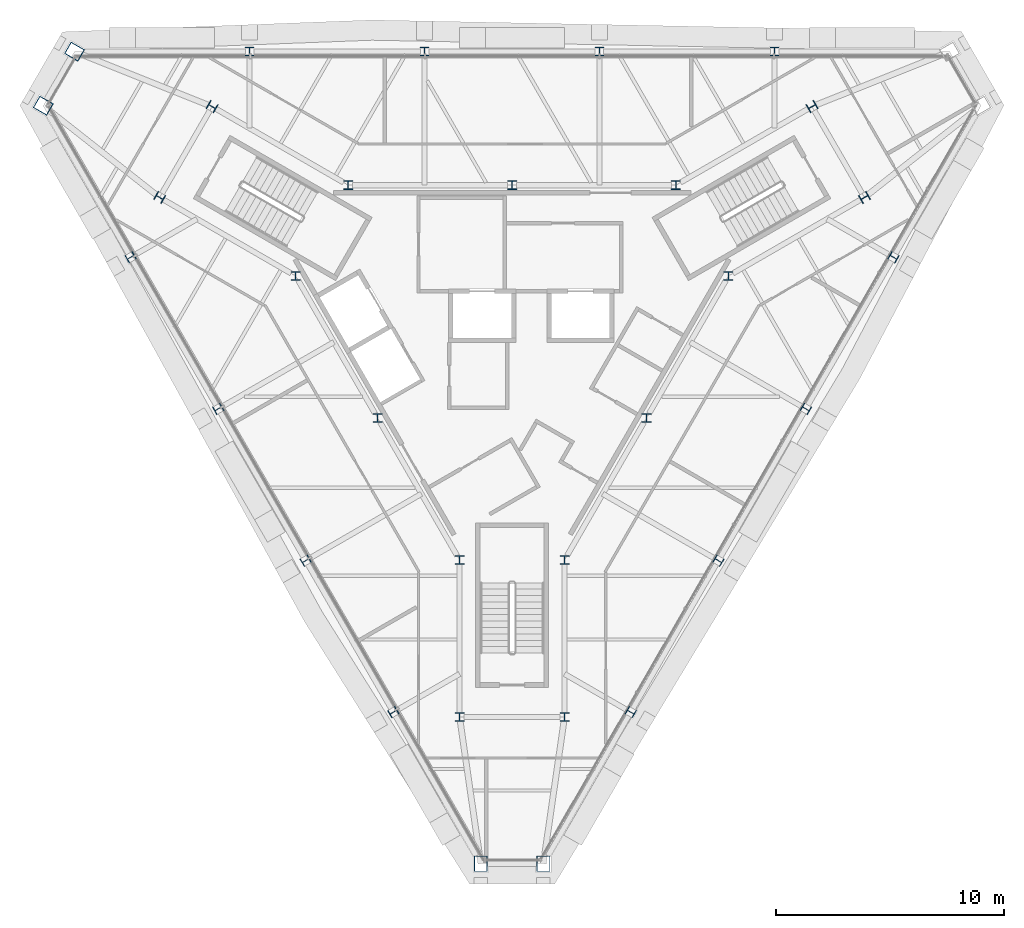
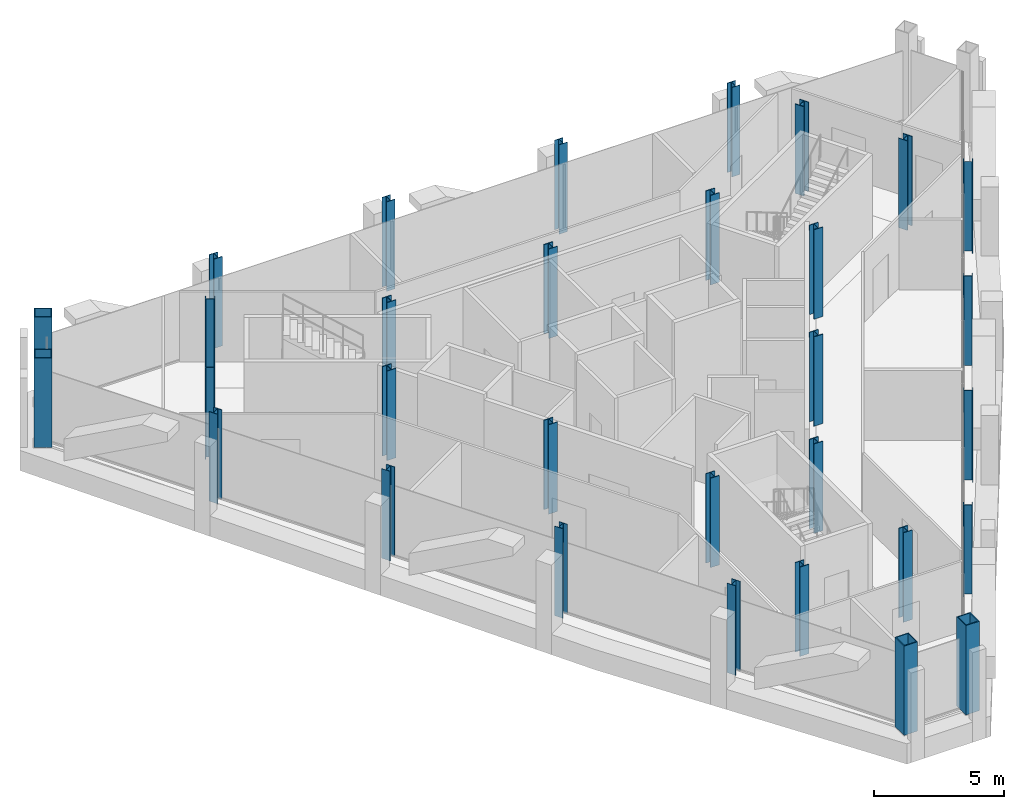
# One storey, part 1 of 13: 31 columns.
"""IFC4 building model written with IfcOpenShell, lengths in metres."""

from ifc_helpers import new_model, si_unit, direction, frame, origin, origin_2d, place, context, subcontext, project, spatial, hollow_rectangle, i_section, extrude, material, material_profile, profile_set, type_object, element, save


model = new_model("IFC4")

# Units and contexts
model_context = context("Model", 3, precision=1e-05, world=origin(), true_north=direction((0.0, 1.0)))
body_context = subcontext(model_context, "Body", "Model", "MODEL_VIEW")
ifc_project = project(units=[si_unit("LENGTHUNIT", "METRE"), si_unit("AREAUNIT", "SQUARE_METRE"), si_unit("VOLUMEUNIT", "CUBIC_METRE"), si_unit("PLANEANGLEUNIT", "RADIAN"), si_unit("MASSUNIT", "GRAM", prefix="KILO")], contexts=[model_context])

# Site, building, storey
site_placement = place(None, origin())
site = spatial("IfcSite", under=ifc_project, at=site_placement, CompositionType="ELEMENT")
building_placement = place(site_placement, origin())
building = spatial("IfcBuilding", under=site, at=building_placement, Name="Verrane Prism Tower", CompositionType="ELEMENT")
storey_placement = place(building_placement, frame((0.0, 0.0, 316.800048828125)))
storey = spatial("IfcBuildingStorey", under=building, at=storey_placement, Name="L80", CompositionType="ELEMENT", Elevation=316.800048828125)

# Columns
ifc_material_1 = material(Name="Steel A992", Category="steel")
ifc_material_profile_1 = material_profile(ifc_material_1, i_section(OverallWidth=0.398681640625, OverallDepth=0.385986328125, WebThickness=0.02099609375, FlangeThickness=0.033203125, FilletRadius=0.01513671875, at=origin_2d()), Name="W14x176")
ifc_profile_set_1 = profile_set([ifc_material_profile_1], Name="Steel A992")
column_type_1 = type_object("IfcColumnType", Name="Core corner column W14x176", PredefinedType="COLUMN", material=ifc_profile_set_1)
for number, where, z_axis, x_axis, name in (
    (1, (15.43994140625, 6.260009765625, 0.0), (0.0, 0.0, 1.0), (0.5, -0.866025403784, 0.0), "Core corner column CK-NEm L80"),
    (2, (13.139892578125, 10.239990234375, 0.0), (0.0, 0.0, 1.0), (0.5, -0.866025403784, 0.0), "Core corner column CK-NEp L80"),
    (3, (-13.139892578125, 10.239990234375, 0.0), (0.0, 0.0, 1.0), (0.5, 0.866025403784, 0.0), "Core corner column CK-NWm L80"),
    (4, (-15.43994140625, 6.260009765625, 0.0), (0.0, 0.0, 1.0), (0.5, 0.866025403784, 0.0), "Core corner column CK-NWp L80"),
    (5, (-2.300048828125, -16.5, 0.0), (0.0, 0.0, 1.0), (-1.0, 0.0, 0.0), "Core corner column CK-Sm L80"),
    (6, (2.300048828125, -16.5, 0.0), (0.0, 0.0, 1.0), (-1.0, 0.0, 0.0), "Core corner column CK-Sp L80"),
):
    element("IfcColumn", number, at=place(storey_placement, frame(where, z_axis=z_axis, x_axis=x_axis)), inside=storey, type_object=column_type_1, Name=name, PredefinedType="COLUMN", context=body_context, shape_type="SweptSolid", body=[
        extrude(i_section(OverallWidth=0.398681640625, OverallDepth=0.385986328125, WebThickness=0.02099609375, FlangeThickness=0.033203125, FilletRadius=0.01513671875, at=origin_2d()), origin(), (0.0, 0.0, 1.0), 4.199951171875),
    ])
ifc_material_2 = material(Name="Steel A992", Category="steel")
ifc_material_profile_2 = material_profile(ifc_material_2, i_section(OverallWidth=0.398681640625, OverallDepth=0.385986328125, WebThickness=0.02099609375, FlangeThickness=0.033203125, FilletRadius=0.01513671875, at=origin_2d()), Name="W14x176")
ifc_profile_set_2 = profile_set([ifc_material_profile_2], Name="Steel A992")
column_type_2 = type_object("IfcColumnType", Name="Core side column W14x176", PredefinedType="COLUMN", material=ifc_profile_set_2)
for number, where, z_axis, x_axis, name in (
    (7, (9.47998046875, 2.820068359375, 0.0), (0.0, 0.0, 1.0), (1.0, 0.0, 0.0), "Core side column CC-NEm L80"),
    (8, (7.179931640625, 6.800048828125, 0.0), (0.0, 0.0, 1.0), (1.0, 0.0, 0.0), "Core side column CC-NEp L80"),
    (9, (0.0, 6.800048828125, 0.0), (0.0, 0.0, 1.0), (1.0, 0.0, 0.0), "Core side column CC-N0 L80"),
    (10, (-7.179931640625, 6.800048828125, 0.0), (0.0, 0.0, 1.0), (1.0, 0.0, 0.0), "Core side column CC-NWm L80"),
    (11, (-9.47998046875, 2.820068359375, 0.0), (0.0, 0.0, 1.0), (1.0, 0.0, 0.0), "Core side column CC-NWp L80"),
    (12, (-5.889892578125, -3.39990234375, 0.0), (0.0, 0.0, 1.0), (1.0, 0.0, 0.0), "Core side column CC-SW0 L80"),
    (13, (-2.300048828125, -9.6201171875, 0.0), (0.0, 0.0, 1.0), (1.0, 0.0, 0.0), "Core side column CC-Sm L80"),
    (14, (2.300048828125, -9.6201171875, 0.0), (0.0, 0.0, 1.0), (1.0, 0.0, 0.0), "Core side column CC-Sp L80"),
    (15, (5.889892578125, -3.39990234375, 0.0), (0.0, 0.0, 1.0), (1.0, 0.0, 0.0), "Core side column CC-SE0 L80"),
):
    element("IfcColumn", number, at=place(storey_placement, frame(where, z_axis=z_axis, x_axis=x_axis)), inside=storey, type_object=column_type_2, Name=name, PredefinedType="COLUMN", context=body_context, shape_type="SweptSolid", body=[
        extrude(i_section(OverallWidth=0.398681640625, OverallDepth=0.385986328125, WebThickness=0.02099609375, FlangeThickness=0.033203125, FilletRadius=0.01513671875, at=origin_2d()), origin(), (0.0, 0.0, 1.0), 4.199951171875),
    ])
ifc_material_3 = material(Name="Steel A572 Grade 50", Category="steel")
ifc_material_profile_3 = material_profile(ifc_material_3, hollow_rectangle(XDim=0.60009765625, YDim=0.699951171875, WallThickness=0.0400390625, at=origin_2d()), Name="BOX 700x600x40")
ifc_profile_set_3 = profile_set([ifc_material_profile_3], Name="Steel A572 Grade 50")
column_type_3 = type_object("IfcColumnType", Name="Megacolumn BOX 700x600x40", PredefinedType="COLUMN", material=ifc_profile_set_3)
for number, where, z_axis, x_axis, name in (
    (16, (-19.169921875, 12.64990234375, 0.0), (0.0, 0.0, 1.0), (0.5, 0.866025403784, 0.0), "Megacolumn MC-NW.a L80"),
    (17, (-20.5400390625, 10.280029296875, 0.0), (0.0, 0.0, 1.0), (0.5, 0.866025403784, 0.0), "Megacolumn MC-NW.b L80"),
    (18, (-1.3701171875, -22.929931640625, 0.0), (0.0, 0.0, 1.0), (-1.0, 0.0, 0.0), "Megacolumn MC-S.a L80"),
    (19, (1.3701171875, -22.929931640625, 0.0), (0.0, 0.0, 1.0), (-1.0, 0.0, 0.0), "Megacolumn MC-S.b L80"),
):
    element("IfcColumn", number, at=place(storey_placement, frame(where, z_axis=z_axis, x_axis=x_axis)), inside=storey, type_object=column_type_3, Name=name, PredefinedType="COLUMN", context=body_context, shape_type="SweptSolid", body=[
        extrude(hollow_rectangle(XDim=0.60009765625, YDim=0.699951171875, WallThickness=0.0400390625, at=origin_2d()), origin(), (0.0, 0.0, 1.0), 4.199951171875),
    ])
ifc_material_4 = material(Name="Steel A992", Category="steel")
ifc_material_profile_4 = material_profile(ifc_material_4, i_section(OverallWidth=0.373291015625, OverallDepth=0.368408203125, WebThickness=0.014892578125, FlangeThickness=0.02392578125, FilletRadius=0.01513671875, at=origin_2d()), Name="W14x120")
ifc_profile_set_4 = profile_set([ifc_material_profile_4], Name="Steel A992")
column_type_4 = type_object("IfcColumnType", Name="Perimeter column W14x120", PredefinedType="COLUMN", material=ifc_profile_set_4)
for number, where, z_axis, x_axis, name in (
    (20, (11.5, 12.64990234375, 0.0), (0.0, 0.0, 1.0), (1.0, 0.0, 0.0), "Perimeter column PC-N1 L80"),
    (21, (3.830078125, 12.64990234375, 0.0), (0.0, 0.0, 1.0), (1.0, 0.0, 0.0), "Perimeter column PC-N2 L80"),
    (22, (-3.830078125, 12.64990234375, 0.0), (0.0, 0.0, 1.0), (1.0, 0.0, 0.0), "Perimeter column PC-N3 L80"),
    (23, (-11.5, 12.64990234375, 0.0), (0.0, 0.0, 1.0), (1.0, 0.0, 0.0), "Perimeter column PC-N4 L80"),
    (24, (-16.7099609375, 3.639892578125, 0.0), (0.0, 0.0, 1.0), (-0.5, 0.866025403784, 0.0), "Perimeter column PC-SW1 L80"),
    (25, (-12.8701171875, -3.0, 0.0), (0.0, 0.0, 1.0), (-0.5, 0.866025403784, 0.0), "Perimeter column PC-SW2 L80"),
    (26, (-9.0400390625, -9.64990234375, 0.0), (0.0, 0.0, 1.0), (-0.5, 0.866025403784, 0.0), "Perimeter column PC-SW3 L80"),
    (27, (-5.199951171875, -16.2900390625, 0.0), (0.0, 0.0, 1.0), (-0.5, 0.866025403784, 0.0), "Perimeter column PC-SW4 L80"),
    (28, (5.199951171875, -16.2900390625, 0.0), (0.0, 0.0, 1.0), (-0.5, -0.866025403784, 0.0), "Perimeter column PC-SE1 L80"),
    (29, (9.0400390625, -9.64990234375, 0.0), (0.0, 0.0, 1.0), (-0.5, -0.866025403784, 0.0), "Perimeter column PC-SE2 L80"),
    (30, (12.8701171875, -3.0, 0.0), (0.0, 0.0, 1.0), (-0.5, -0.866025403784, 0.0), "Perimeter column PC-SE3 L80"),
    (31, (16.7099609375, 3.639892578125, 0.0), (0.0, 0.0, 1.0), (-0.5, -0.866025403784, 0.0), "Perimeter column PC-SE4 L80"),
):
    element("IfcColumn", number, at=place(storey_placement, frame(where, z_axis=z_axis, x_axis=x_axis)), inside=storey, type_object=column_type_4, Name=name, PredefinedType="COLUMN", context=body_context, shape_type="SweptSolid", body=[
        extrude(i_section(OverallWidth=0.373291015625, OverallDepth=0.368408203125, WebThickness=0.014892578125, FlangeThickness=0.02392578125, FilletRadius=0.01513671875, at=origin_2d()), origin(), (0.0, 0.0, 1.0), 4.199951171875),
    ])

save(model, "model.ifc")
